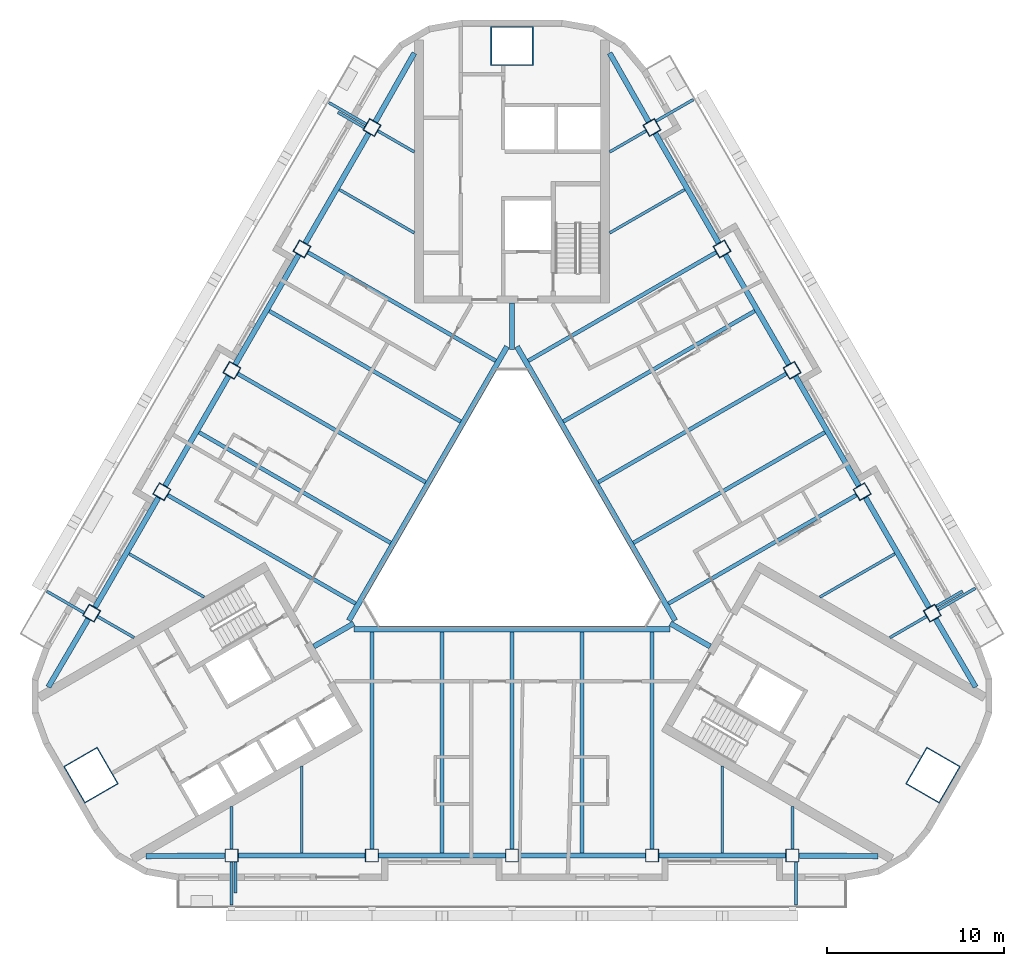
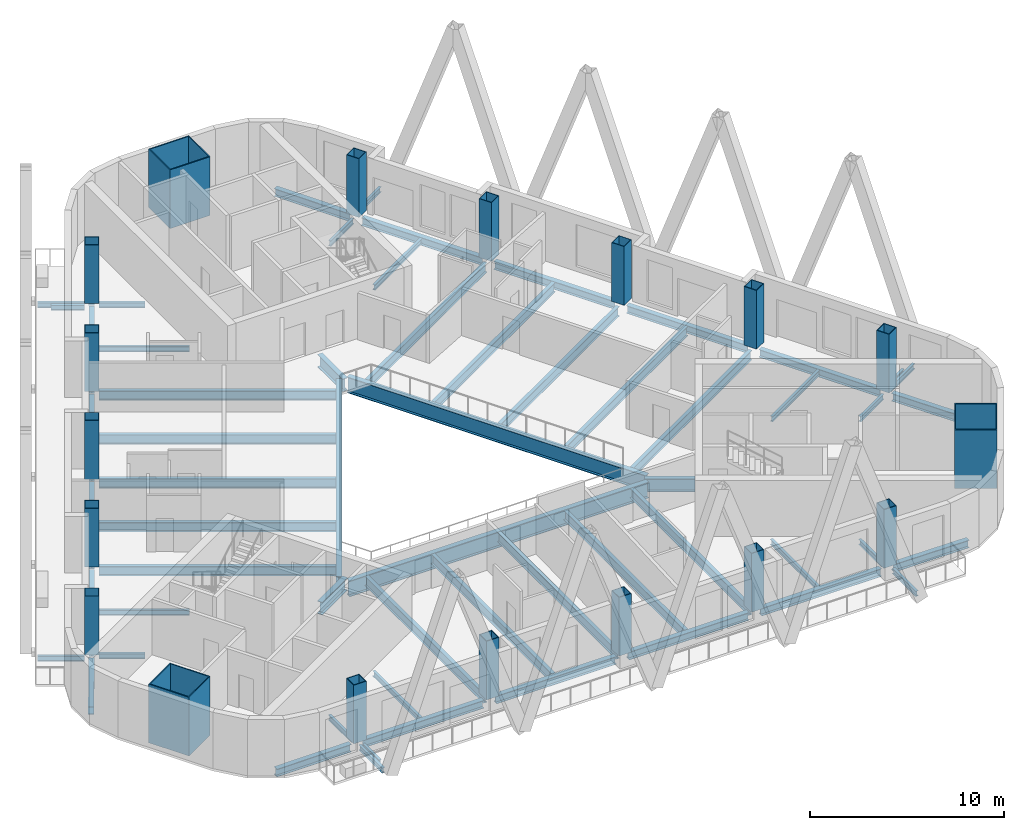
# One storey, part 1 of 14: 60 beams, 18 columns.
"""IFC4 building model written with IfcOpenShell, lengths in metres."""

from ifc_helpers import new_model, si_unit, direction, frame, origin, origin_2d, place, context, subcontext, project, spatial, rectangle, hollow_rectangle, i_section, extrude, material, material_profile, profile_set, type_object, element, save


model = new_model("IFC4")

# Units and contexts
model_context = context("Model", 3, precision=1e-05, world=origin(), true_north=direction((0.0, 1.0)))
body_context = subcontext(model_context, "Body", "Model", "MODEL_VIEW")
ifc_project = project(units=[si_unit("LENGTHUNIT", "METRE"), si_unit("AREAUNIT", "SQUARE_METRE"), si_unit("VOLUMEUNIT", "CUBIC_METRE"), si_unit("PLANEANGLEUNIT", "RADIAN"), si_unit("MASSUNIT", "GRAM", prefix="KILO")], contexts=[model_context])

# Site, building, storey
site_placement = place(None, origin())
site = spatial("IfcSite", under=ifc_project, at=site_placement, CompositionType="ELEMENT")
building_placement = place(site_placement, origin())
building = spatial("IfcBuilding", under=site, at=building_placement, Name="Apuvela Tower Hotel", CompositionType="ELEMENT")
storey_placement = place(building_placement, frame((0.0, 0.0, 213.199951171875)))
storey = spatial("IfcBuildingStorey", under=building, at=storey_placement, Name="L52", CompositionType="ELEMENT", Elevation=213.199951171875)

# Columns
ifc_material_1 = material(Name="Steel S460", Category="steel")
ifc_material_profile_1 = material_profile(ifc_material_1, hollow_rectangle(XDim=2.39990234375, YDim=2.199951171875, WallThickness=0.06005859375, at=origin_2d()), Name="BOX 2400x2200x60")
ifc_material_2 = material(Name="Concrete C80/95", Category="concrete")
ifc_material_profile_2 = material_profile(ifc_material_2, rectangle(XDim=2.280029296875, YDim=2.080078125, at=origin_2d()), Name="Concrete C80/95 infill")
ifc_profile_set_1 = profile_set([ifc_material_profile_1, ifc_material_profile_2], Name="Steel S460")
column_type_1 = type_object("IfcColumnType", Name="STR-MC mega column BOX 2400x2200x60", PredefinedType="COLUMN", material=ifc_profile_set_1)
for number, where, z_axis, x_axis, name in (
    (1, (0.0, 27.39990234375, 0.0), (0.0, 0.0, 1.0), (1.0, 0.0, 0.0), "Mega column MC3 N"),
    (2, (-23.72900390625, -13.699951171875, 0.0), (0.0, 0.0, 1.0), (-0.5, 0.866025403784, 0.0), "Mega column MC3 SW"),
    (3, (23.72900390625, -13.699951171875, 0.0), (0.0, 0.0, 1.0), (0.5, 0.866025403784, 0.0), "Mega column MC3 SE"),
):
    element("IfcColumn", number, at=place(storey_placement, frame(where, z_axis=z_axis, x_axis=x_axis)), inside=storey, type_object=column_type_1, Name=name, PredefinedType="COLUMN", context=body_context, shape_type="SweptSolid", body=[
        extrude(hollow_rectangle(XDim=2.39990234375, YDim=2.199951171875, WallThickness=0.06005859375, at=origin_2d()), origin(), (0.0, 0.0, 1.0), 3.699951171875),
    ])
ifc_material_profile_3 = material_profile(ifc_material_1, hollow_rectangle(XDim=0.75, YDim=0.75, WallThickness=0.034912109375, at=origin_2d()), Name="BOX 750x750x35")
ifc_material_profile_4 = material_profile(ifc_material_2, rectangle(XDim=0.679931640625, YDim=0.679931640625, at=origin_2d()), Name="Concrete C80/95 infill")
ifc_profile_set_2 = profile_set([ifc_material_profile_3, ifc_material_profile_4], Name="Steel S460")
column_type_2 = type_object("IfcColumnType", Name="STR-PC perimeter column BOX 750x750x35", PredefinedType="COLUMN", material=ifc_profile_set_2)
for number, where, z_axis, x_axis, name in (
    (4, (-15.800048828125, -18.22998046875, 0.0), (0.0, 0.0, 1.0), (-1.0, 0.0, 0.0), "Perimeter column C5 S1"),
    (5, (-7.89990234375, -18.22998046875, 0.0), (0.0, 0.0, 1.0), (-1.0, 0.0, 0.0), "Perimeter column C5 S2"),
    (6, (0.0, -18.22998046875, 0.0), (0.0, 0.0, 1.0), (-1.0, 0.0, 0.0), "Perimeter column C5 S3"),
    (7, (7.89990234375, -18.22998046875, 0.0), (0.0, 0.0, 1.0), (-1.0, 0.0, 0.0), "Perimeter column C5 S4"),
    (8, (15.800048828125, -18.22998046875, 0.0), (0.0, 0.0, 1.0), (-1.0, 0.0, 0.0), "Perimeter column C5 S5"),
    (9, (23.6875, -4.568115234375, 0.0), (0.0, 0.0, 1.0), (-0.5, 0.866025403784, 0.0), "Perimeter column C5 NE1"),
    (10, (19.737548828125, 2.2734375, 0.0), (0.0, 0.0, 1.0), (-0.5, 0.866025403784, 0.0), "Perimeter column C5 NE2"),
    (11, (15.78759765625, 9.114990234375, 0.0), (0.0, 0.0, 1.0), (-0.5, 0.866025403784, 0.0), "Perimeter column C5 NE3"),
    (12, (11.837646484375, 15.95654296875, 0.0), (0.0, 0.0, 1.0), (-0.5, 0.866025403784, 0.0), "Perimeter column C5 NE4"),
    (13, (7.8876953125, 22.798095703125, 0.0), (0.0, 0.0, 1.0), (-0.5, 0.866025403784, 0.0), "Perimeter column C5 NE5"),
    (14, (-7.8876953125, 22.798095703125, 0.0), (0.0, 0.0, 1.0), (0.5, 0.866025403784, 0.0), "Perimeter column C5 NW1"),
    (15, (-11.837646484375, 15.95654296875, 0.0), (0.0, 0.0, 1.0), (0.5, 0.866025403784, 0.0), "Perimeter column C5 NW2"),
    (16, (-15.78759765625, 9.114990234375, 0.0), (0.0, 0.0, 1.0), (0.5, 0.866025403784, 0.0), "Perimeter column C5 NW3"),
    (17, (-19.737548828125, 2.2734375, 0.0), (0.0, 0.0, 1.0), (0.5, 0.866025403784, 0.0), "Perimeter column C5 NW4"),
    (18, (-23.6875, -4.568115234375, 0.0), (0.0, 0.0, 1.0), (0.5, 0.866025403784, 0.0), "Perimeter column C5 NW5"),
):
    element("IfcColumn", number, at=place(storey_placement, frame(where, z_axis=z_axis, x_axis=x_axis)), inside=storey, type_object=column_type_2, Name=name, PredefinedType="COLUMN", context=body_context, shape_type="SweptSolid", body=[
        extrude(hollow_rectangle(XDim=0.75, YDim=0.75, WallThickness=0.034912109375, at=origin_2d()), origin(), (0.0, 0.0, 1.0), 3.699951171875),
    ])

# Beams
ifc_material_3 = material(Name="Steel S355", Category="steel")
ifc_material_profile_5 = material_profile(ifc_material_3, i_section(OverallWidth=0.159912109375, OverallDepth=0.330078125, WebThickness=0.007568359375, FlangeThickness=0.011474609375, at=origin_2d()), Name="IPE 330")
ifc_profile_set_3 = profile_set([ifc_material_profile_5], Name="Steel S355")
beam_type_1 = type_object("IfcBeamType", Name="ENV-BALCONY-BEAM-IPE330", PredefinedType="BEAM", material=ifc_profile_set_3)
beam_1_placement = place(storey_placement, frame((-15.800048828125, -18.60498046875, -0.31494140625), z_axis=(0.0, -1.0, 0.0), x_axis=(1.0, 0.0, 0.0)))
element("IfcBeam", 19, at=beam_1_placement, inside=storey, type_object=beam_type_1, Name="Balcony cantilever beam S1 L52", PredefinedType="BEAM", context=body_context, shape_type="SweptSolid", body=[
    extrude(i_section(OverallWidth=0.159912109375, OverallDepth=0.330078125, WebThickness=0.007568359375, FlangeThickness=0.011474609375, at=origin_2d()), origin(), (0.0, 0.0, 1.0), 2.425048828125),
])
beam_2_placement = place(storey_placement, frame((-15.580078125, -18.60498046875, -0.31494140625), z_axis=(0.0, -1.0, 0.0), x_axis=(1.0, 0.0, 0.0)))
element("IfcBeam", 20, at=beam_2_placement, inside=storey, type_object=beam_type_1, Name="Balcony cantilever beam S2 L52", PredefinedType="BEAM", context=body_context, shape_type="SweptSolid", body=[
    extrude(i_section(OverallWidth=0.159912109375, OverallDepth=0.330078125, WebThickness=0.007568359375, FlangeThickness=0.011474609375, at=origin_2d()), origin(), (0.0, 0.0, 1.0), 1.72509765625),
])
for number, where, z_axis, x_axis, name in (
    (21, (16.0, -18.60498046875, -0.31494140625), (0.0, -1.0, 0.0), (1.0, 0.0, 0.0), "Balcony cantilever beam S3 L52"),
    (22, (24.012451171875, -4.380615234375, -0.31494140625), (0.866041403502, 0.499972286653, 0.0), (-0.499972286653, 0.866041403502, 0.0), "Balcony cantilever beam NE1 L52"),
):
    element("IfcBeam", number, at=place(storey_placement, frame(where, z_axis=z_axis, x_axis=x_axis)), inside=storey, type_object=beam_type_1, Name=name, PredefinedType="BEAM", context=body_context, shape_type="SweptSolid", body=[
        extrude(i_section(OverallWidth=0.159912109375, OverallDepth=0.330078125, WebThickness=0.007568359375, FlangeThickness=0.011474609375, at=origin_2d()), origin(), (0.0, 0.0, 1.0), 2.425048828125),
    ])
beam_3_placement = place(storey_placement, frame((23.90234375, -4.190185546875, -0.31494140625), z_axis=(0.866013532718, 0.500020560727, 0.0), x_axis=(-0.500020560727, 0.866013532718, 0.0)))
element("IfcBeam", 23, at=beam_3_placement, inside=storey, type_object=beam_type_1, Name="Balcony cantilever beam NE2 L52", PredefinedType="BEAM", context=body_context, shape_type="SweptSolid", body=[
    extrude(i_section(OverallWidth=0.159912109375, OverallDepth=0.330078125, WebThickness=0.007568359375, FlangeThickness=0.011474609375, at=origin_2d()), origin(), (0.0, 0.0, 1.0), 1.72509765625),
])
for number, where, z_axis, x_axis, name in (
    (24, (8.1123046875, 23.158935546875, -0.31494140625), (0.866041403502, 0.499972286653, 0.0), (-0.499972286653, 0.866041403502, 0.0), "Balcony cantilever beam NE3 L52"),
    (25, (-8.21240234375, 22.985595703125, -0.31494140625), (-0.865997808697, 0.500047793048, 0.0), (-0.500047793048, -0.865997808697, 0.0), "Balcony cantilever beam NW1 L52"),
):
    element("IfcBeam", number, at=place(storey_placement, frame(where, z_axis=z_axis, x_axis=x_axis)), inside=storey, type_object=beam_type_1, Name=name, PredefinedType="BEAM", context=body_context, shape_type="SweptSolid", body=[
        extrude(i_section(OverallWidth=0.159912109375, OverallDepth=0.330078125, WebThickness=0.007568359375, FlangeThickness=0.011474609375, at=origin_2d()), origin(), (0.0, 0.0, 1.0), 2.425048828125),
    ])
beam_4_placement = place(storey_placement, frame((-8.322509765625, 22.795166015625, -0.31494140625), z_axis=(-0.866013532718, 0.500020560727, 0.0), x_axis=(-0.500020560727, -0.866013532718, 0.0)))
element("IfcBeam", 26, at=beam_4_placement, inside=storey, type_object=beam_type_1, Name="Balcony cantilever beam NW2 L52", PredefinedType="BEAM", context=body_context, shape_type="SweptSolid", body=[
    extrude(i_section(OverallWidth=0.159912109375, OverallDepth=0.330078125, WebThickness=0.007568359375, FlangeThickness=0.011474609375, at=origin_2d()), origin(), (0.0, 0.0, 1.0), 1.72509765625),
])
beam_5_placement = place(storey_placement, frame((-24.1123046875, -4.553955078125, -0.31494140625), z_axis=(-0.865997808697, 0.500047793048, 0.0), x_axis=(-0.500047793048, -0.865997808697, 0.0)))
element("IfcBeam", 27, at=beam_5_placement, inside=storey, type_object=beam_type_1, Name="Balcony cantilever beam NW3 L52", PredefinedType="BEAM", context=body_context, shape_type="SweptSolid", body=[
    extrude(i_section(OverallWidth=0.159912109375, OverallDepth=0.330078125, WebThickness=0.007568359375, FlangeThickness=0.011474609375, at=origin_2d()), origin(), (0.0, 0.0, 1.0), 2.425048828125),
])
ifc_material_profile_6 = material_profile(ifc_material_3, i_section(OverallWidth=0.159912109375, OverallDepth=0.330078125, WebThickness=0.007568359375, FlangeThickness=0.011474609375, at=origin_2d()), Name="IPE 330")
ifc_profile_set_4 = profile_set([ifc_material_profile_6], Name="Steel S355")
beam_type_2 = type_object("IfcBeamType", Name="STR-B floor beam IPE 330", PredefinedType="BEAM", material=ifc_profile_set_4)
beam_6_placement = place(storey_placement, frame((23.36279296875, -4.755615234375, -0.31494140625), z_axis=(-0.865982457891, -0.500074377092, 0.0), x_axis=(0.500074377092, -0.865982457891, 0.0)))
element("IfcBeam", 28, at=beam_6_placement, inside=storey, type_object=beam_type_2, Name="Floor beam B1 NE1", PredefinedType="BEAM", context=body_context, shape_type="SweptSolid", body=[
    extrude(i_section(OverallWidth=0.159912109375, OverallDepth=0.330078125, WebThickness=0.007568359375, FlangeThickness=0.011474609375, at=origin_2d()), origin(), (0.0, 0.0, 1.0), 2.382080078125),
])
for number, where, z_axis, x_axis, name in (
    (29, (21.582763671875, -1.222412109375, -0.31494140625), (-0.866015056278, -0.500017921979, 0.0), (0.500017921979, -0.866015056278, 0.0), "Floor beam B1 NE2"),
    (30, (9.732666015625, 19.302490234375, -0.31494140625), (-0.866015056278, -0.500017921979, 0.0), (0.500017921979, -0.866015056278, 0.0), "Floor beam B1 NE8"),
):
    element("IfcBeam", number, at=place(storey_placement, frame(where, z_axis=z_axis, x_axis=x_axis)), inside=storey, type_object=beam_type_2, Name=name, PredefinedType="BEAM", context=body_context, shape_type="SweptSolid", body=[
        extrude(i_section(OverallWidth=0.159912109375, OverallDepth=0.330078125, WebThickness=0.007568359375, FlangeThickness=0.011474609375, at=origin_2d()), origin(), (0.0, 0.0, 1.0), 4.887451171875),
    ])
for number, where, z_axis, x_axis, name in (
    (31, (7.56298828125, 22.610595703125, -0.31494140625), (-0.866052464367, -0.499953126767, 0.0), (0.499953126767, -0.866052464367, 0.0), "Floor beam B1 NE9"),
    (32, (-7.56298828125, 22.610595703125, -0.31494140625), (0.866052464367, -0.499953126767, 0.0), (0.499953126767, 0.866052464367, 0.0), "Floor beam B1 NW1"),
):
    element("IfcBeam", number, at=place(storey_placement, frame(where, z_axis=z_axis, x_axis=x_axis)), inside=storey, type_object=beam_type_2, Name=name, PredefinedType="BEAM", context=body_context, shape_type="SweptSolid", body=[
        extrude(i_section(OverallWidth=0.159912109375, OverallDepth=0.330078125, WebThickness=0.007568359375, FlangeThickness=0.011474609375, at=origin_2d()), origin(), (0.0, 0.0, 1.0), 2.382080078125),
    ])
for number, where, z_axis, x_axis, name in (
    (33, (-9.732666015625, 19.302490234375, -0.31494140625), (0.866015056278, -0.500017921979, 0.0), (0.500017921979, 0.866015056278, 0.0), "Floor beam B1 NW2"),
    (34, (-21.582763671875, -1.222412109375, -0.31494140625), (0.866015056278, -0.500017921979, 0.0), (0.500017921979, 0.866015056278, 0.0), "Floor beam B1 NW8"),
):
    element("IfcBeam", number, at=place(storey_placement, frame(where, z_axis=z_axis, x_axis=x_axis)), inside=storey, type_object=beam_type_2, Name=name, PredefinedType="BEAM", context=body_context, shape_type="SweptSolid", body=[
        extrude(i_section(OverallWidth=0.159912109375, OverallDepth=0.330078125, WebThickness=0.007568359375, FlangeThickness=0.011474609375, at=origin_2d()), origin(), (0.0, 0.0, 1.0), 4.887451171875),
    ])
for number, where, z_axis, x_axis, name in (
    (35, (-23.36279296875, -4.755615234375, -0.31494140625), (0.865982457891, -0.500074377092, 0.0), (0.500074377092, 0.865982457891, 0.0), "Floor beam B1 NW9"),
    (36, (-15.800048828125, -17.85498046875, -0.31494140625), (0.0, 1.0, 0.0), (-1.0, 0.0, 0.0), "Floor beam B1 S1"),
):
    element("IfcBeam", number, at=place(storey_placement, frame(where, z_axis=z_axis, x_axis=x_axis)), inside=storey, type_object=beam_type_2, Name=name, PredefinedType="BEAM", context=body_context, shape_type="SweptSolid", body=[
        extrude(i_section(OverallWidth=0.159912109375, OverallDepth=0.330078125, WebThickness=0.007568359375, FlangeThickness=0.011474609375, at=origin_2d()), origin(), (0.0, 0.0, 1.0), 2.382080078125),
    ])
for number, where, z_axis, x_axis, name in (
    (37, (-11.85009765625, -18.080078125, -0.31494140625), (0.0, 1.0, 0.0), (-1.0, 0.0, 0.0), "Floor beam B1 S2"),
    (38, (11.85009765625, -18.080078125, -0.31494140625), (0.0, 1.0, 0.0), (-1.0, 0.0, 0.0), "Floor beam B1 S8"),
):
    element("IfcBeam", number, at=place(storey_placement, frame(where, z_axis=z_axis, x_axis=x_axis)), inside=storey, type_object=beam_type_2, Name=name, PredefinedType="BEAM", context=body_context, shape_type="SweptSolid", body=[
        extrude(i_section(OverallWidth=0.159912109375, OverallDepth=0.330078125, WebThickness=0.007568359375, FlangeThickness=0.011474609375, at=origin_2d()), origin(), (0.0, 0.0, 1.0), 4.8876953125),
    ])
beam_7_placement = place(storey_placement, frame((15.800048828125, -17.85498046875, -0.31494140625), z_axis=(0.0, 1.0, 0.0), x_axis=(-1.0, 0.0, 0.0)))
element("IfcBeam", 39, at=beam_7_placement, inside=storey, type_object=beam_type_2, Name="Floor beam B1 S9", PredefinedType="BEAM", context=body_context, shape_type="SweptSolid", body=[
    extrude(i_section(OverallWidth=0.159912109375, OverallDepth=0.330078125, WebThickness=0.007568359375, FlangeThickness=0.011474609375, at=origin_2d()), origin(), (0.0, 0.0, 1.0), 2.382080078125),
])
ifc_material_profile_7 = material_profile(ifc_material_3, i_section(OverallWidth=0.219970703125, OverallDepth=0.60009765625, WebThickness=0.011962890625, FlangeThickness=0.01904296875, at=origin_2d()), Name="IPE 600")
ifc_profile_set_5 = profile_set([ifc_material_profile_7], Name="Steel S355")
beam_type_3 = type_object("IfcBeamType", Name="STR-B floor beam IPE 600", PredefinedType="BEAM", material=ifc_profile_set_5)
beam_8_placement = place(storey_placement, frame((19.412841796875, 2.0859375, -0.449951171875), z_axis=(-0.866025418325, -0.499999974815, 0.0), x_axis=(0.499999974815, -0.866025418325, 0.0)))
element("IfcBeam", 40, at=beam_8_placement, inside=storey, type_object=beam_type_3, Name="Floor beam B8 NE3", PredefinedType="BEAM", context=body_context, shape_type="SweptSolid", body=[
    extrude(i_section(OverallWidth=0.219970703125, OverallDepth=0.60009765625, WebThickness=0.011962890625, FlangeThickness=0.01904296875, at=origin_2d()), origin(), (0.0, 0.0, 1.0), 12.23486328125),
])
beam_9_placement = place(storey_placement, frame((17.6328125, 5.619140625, -0.449951171875), z_axis=(-0.866027987673, -0.499995524547, 0.0), x_axis=(0.499995524547, -0.866027987673, 0.0)))
element("IfcBeam", 41, at=beam_9_placement, inside=storey, type_object=beam_type_3, Name="Floor beam B8 NE4", PredefinedType="BEAM", context=body_context, shape_type="SweptSolid", body=[
    extrude(i_section(OverallWidth=0.219970703125, OverallDepth=0.60009765625, WebThickness=0.011962890625, FlangeThickness=0.01904296875, at=origin_2d()), origin(), (0.0, 0.0, 1.0), 12.4599609375),
])
beam_10_placement = place(storey_placement, frame((15.462890625, 8.927490234375, -0.449951171875), z_axis=(-0.866025418325, -0.499999974815, 0.0), x_axis=(0.499999974815, -0.866025418325, 0.0)))
element("IfcBeam", 42, at=beam_10_placement, inside=storey, type_object=beam_type_3, Name="Floor beam B8 NE5", PredefinedType="BEAM", context=body_context, shape_type="SweptSolid", body=[
    extrude(i_section(OverallWidth=0.219970703125, OverallDepth=0.60009765625, WebThickness=0.011962890625, FlangeThickness=0.01904296875, at=origin_2d()), origin(), (0.0, 0.0, 1.0), 12.23486328125),
])
beam_11_placement = place(storey_placement, frame((13.6826171875, 12.460693359375, -0.449951171875), z_axis=(-0.866023089177, -0.500004008996, 0.0), x_axis=(0.500004008996, -0.866023089177, 0.0)))
element("IfcBeam", 43, at=beam_11_placement, inside=storey, type_object=beam_type_3, Name="Floor beam B8 NE6", PredefinedType="BEAM", context=body_context, shape_type="SweptSolid", body=[
    extrude(i_section(OverallWidth=0.219970703125, OverallDepth=0.60009765625, WebThickness=0.011962890625, FlangeThickness=0.01904296875, at=origin_2d()), origin(), (0.0, 0.0, 1.0), 12.4599609375),
])
for number, where, z_axis, x_axis, name in (
    (44, (11.512939453125, 15.76904296875, -0.449951171875), (-0.866030406821, -0.499991334387, 0.0), (0.499991334387, -0.866030406821, 0.0), "Floor beam B8 NE7"),
    (45, (-11.512939453125, 15.76904296875, -0.449951171875), (0.866030406821, -0.499991334387, 0.0), (0.499991334387, 0.866030406821, 0.0), "Floor beam B8 NW3"),
):
    element("IfcBeam", number, at=place(storey_placement, frame(where, z_axis=z_axis, x_axis=x_axis)), inside=storey, type_object=beam_type_3, Name=name, PredefinedType="BEAM", context=body_context, shape_type="SweptSolid", body=[
        extrude(i_section(OverallWidth=0.219970703125, OverallDepth=0.60009765625, WebThickness=0.011962890625, FlangeThickness=0.01904296875, at=origin_2d()), origin(), (0.0, 0.0, 1.0), 12.235107421875),
    ])
beam_12_placement = place(storey_placement, frame((-13.6826171875, 12.460693359375, -0.449951171875), z_axis=(0.866023089177, -0.500004008996, 0.0), x_axis=(0.500004008996, 0.866023089177, 0.0)))
element("IfcBeam", 46, at=beam_12_placement, inside=storey, type_object=beam_type_3, Name="Floor beam B8 NW4", PredefinedType="BEAM", context=body_context, shape_type="SweptSolid", body=[
    extrude(i_section(OverallWidth=0.219970703125, OverallDepth=0.60009765625, WebThickness=0.011962890625, FlangeThickness=0.01904296875, at=origin_2d()), origin(), (0.0, 0.0, 1.0), 12.4599609375),
])
beam_13_placement = place(storey_placement, frame((-15.462890625, 8.927490234375, -0.449951171875), z_axis=(0.866025418325, -0.499999974815, 0.0), x_axis=(0.499999974815, 0.866025418325, 0.0)))
element("IfcBeam", 47, at=beam_13_placement, inside=storey, type_object=beam_type_3, Name="Floor beam B8 NW5", PredefinedType="BEAM", context=body_context, shape_type="SweptSolid", body=[
    extrude(i_section(OverallWidth=0.219970703125, OverallDepth=0.60009765625, WebThickness=0.011962890625, FlangeThickness=0.01904296875, at=origin_2d()), origin(), (0.0, 0.0, 1.0), 12.23486328125),
])
beam_14_placement = place(storey_placement, frame((-17.6328125, 5.619140625, -0.449951171875), z_axis=(0.866027987673, -0.499995524547, 0.0), x_axis=(0.499995524547, 0.866027987673, 0.0)))
element("IfcBeam", 48, at=beam_14_placement, inside=storey, type_object=beam_type_3, Name="Floor beam B8 NW6", PredefinedType="BEAM", context=body_context, shape_type="SweptSolid", body=[
    extrude(i_section(OverallWidth=0.219970703125, OverallDepth=0.60009765625, WebThickness=0.011962890625, FlangeThickness=0.01904296875, at=origin_2d()), origin(), (0.0, 0.0, 1.0), 12.4599609375),
])
for number, where, z_axis, x_axis, name in (
    (49, (-19.412841796875, 2.0859375, -0.449951171875), (0.866025418325, -0.499999974815, 0.0), (0.499999974815, 0.866025418325, 0.0), "Floor beam B8 NW7"),
    (50, (-7.89990234375, -17.85498046875, -0.449951171875), (0.0, 1.0, 0.0), (-1.0, 0.0, 0.0), "Floor beam B8 S3"),
):
    element("IfcBeam", number, at=place(storey_placement, frame(where, z_axis=z_axis, x_axis=x_axis)), inside=storey, type_object=beam_type_3, Name=name, PredefinedType="BEAM", context=body_context, shape_type="SweptSolid", body=[
        extrude(i_section(OverallWidth=0.219970703125, OverallDepth=0.60009765625, WebThickness=0.011962890625, FlangeThickness=0.01904296875, at=origin_2d()), origin(), (0.0, 0.0, 1.0), 12.23486328125),
    ])
beam_15_placement = place(storey_placement, frame((-3.949951171875, -18.080078125, -0.449951171875), z_axis=(0.0, 1.0, 0.0), x_axis=(-1.0, 0.0, 0.0)))
element("IfcBeam", 51, at=beam_15_placement, inside=storey, type_object=beam_type_3, Name="Floor beam B8 S4", PredefinedType="BEAM", context=body_context, shape_type="SweptSolid", body=[
    extrude(i_section(OverallWidth=0.219970703125, OverallDepth=0.60009765625, WebThickness=0.011962890625, FlangeThickness=0.01904296875, at=origin_2d()), origin(), (0.0, 0.0, 1.0), 12.4599609375),
])
beam_16_placement = place(storey_placement, frame((0.0, -17.85498046875, -0.449951171875), z_axis=(0.0, 1.0, 0.0), x_axis=(-1.0, 0.0, 0.0)))
element("IfcBeam", 52, at=beam_16_placement, inside=storey, type_object=beam_type_3, Name="Floor beam B8 S5", PredefinedType="BEAM", context=body_context, shape_type="SweptSolid", body=[
    extrude(i_section(OverallWidth=0.219970703125, OverallDepth=0.60009765625, WebThickness=0.011962890625, FlangeThickness=0.01904296875, at=origin_2d()), origin(), (0.0, 0.0, 1.0), 12.23486328125),
])
beam_17_placement = place(storey_placement, frame((3.949951171875, -18.080078125, -0.449951171875), z_axis=(0.0, 1.0, 0.0), x_axis=(-1.0, 0.0, 0.0)))
element("IfcBeam", 53, at=beam_17_placement, inside=storey, type_object=beam_type_3, Name="Floor beam B8 S6", PredefinedType="BEAM", context=body_context, shape_type="SweptSolid", body=[
    extrude(i_section(OverallWidth=0.219970703125, OverallDepth=0.60009765625, WebThickness=0.011962890625, FlangeThickness=0.01904296875, at=origin_2d()), origin(), (0.0, 0.0, 1.0), 12.4599609375),
])
beam_18_placement = place(storey_placement, frame((7.89990234375, -17.85498046875, -0.449951171875), z_axis=(0.0, 1.0, 0.0), x_axis=(-1.0, 0.0, 0.0)))
element("IfcBeam", 54, at=beam_18_placement, inside=storey, type_object=beam_type_3, Name="Floor beam B8 S7", PredefinedType="BEAM", context=body_context, shape_type="SweptSolid", body=[
    extrude(i_section(OverallWidth=0.219970703125, OverallDepth=0.60009765625, WebThickness=0.011962890625, FlangeThickness=0.01904296875, at=origin_2d()), origin(), (0.0, 0.0, 1.0), 12.23486328125),
])
ifc_material_profile_8 = material_profile(ifc_material_3, i_section(OverallWidth=0.300048828125, OverallDepth=1.0, WebThickness=0.01904296875, FlangeThickness=0.035888671875, at=origin_2d()), Name="HE 1000 B")
ifc_profile_set_6 = profile_set([ifc_material_profile_8], Name="Steel S355")
beam_type_4 = type_object("IfcBeamType", Name="STR-G atrium ring girder HE 1000 B", PredefinedType="BEAM", material=ifc_profile_set_6)
beam_19_placement = place(storey_placement, frame((-0.27978515625, 10.455078125, -0.64990234375), z_axis=(-0.500006541319, -0.866021627119, 0.0), x_axis=(0.866021627119, -0.500006541319, 0.0)))
element("IfcBeam", 55, at=beam_19_placement, inside=storey, type_object=beam_type_4, Name="Atrium ring girder G2 N-SW", PredefinedType="BEAM", context=body_context, shape_type="SweptSolid", body=[
    extrude(i_section(OverallWidth=0.300048828125, OverallDepth=1.0, WebThickness=0.01904296875, FlangeThickness=0.035888671875, at=origin_2d()), origin(), (0.0, 0.0, 1.0), 17.828857421875),
])
beam_20_placement = place(storey_placement, frame((-8.91455078125, -5.469970703125, -0.64990234375), z_axis=(1.0, 0.0, 0.0), x_axis=(0.0, 1.0, 0.0)))
element("IfcBeam", 56, at=beam_20_placement, inside=storey, type_object=beam_type_4, Name="Atrium ring girder G2 SW-SE", PredefinedType="BEAM", context=body_context, shape_type="SweptSolid", body=[
    extrude(i_section(OverallWidth=0.300048828125, OverallDepth=1.0, WebThickness=0.01904296875, FlangeThickness=0.035888671875, at=origin_2d()), origin(), (0.0, 0.0, 1.0), 17.8291015625),
])
beam_21_placement = place(storey_placement, frame((9.1943359375, -4.985107421875, -0.64990234375), z_axis=(-0.500006541319, 0.866021627119, 0.0), x_axis=(-0.866021627119, -0.500006541319, 0.0)))
element("IfcBeam", 57, at=beam_21_placement, inside=storey, type_object=beam_type_4, Name="Atrium ring girder G2 SE-N", PredefinedType="BEAM", context=body_context, shape_type="SweptSolid", body=[
    extrude(i_section(OverallWidth=0.300048828125, OverallDepth=1.0, WebThickness=0.01904296875, FlangeThickness=0.035888671875, at=origin_2d()), origin(), (0.0, 0.0, 1.0), 17.828857421875),
])
ifc_material_profile_9 = material_profile(ifc_material_3, i_section(OverallWidth=0.300048828125, OverallDepth=0.800048828125, WebThickness=0.017578125, FlangeThickness=0.032958984375, at=origin_2d()), Name="HE 800 B")
ifc_profile_set_7 = profile_set([ifc_material_profile_9], Name="Steel S355")
beam_type_5 = type_object("IfcBeamType", Name="STR-GT core tie beam HE 800 B", PredefinedType="BEAM", material=ifc_profile_set_7)
for number, where, z_axis, x_axis, name in (
    (58, (0.0, 12.89990234375, -0.550048828125), (0.0, -1.0, 0.0), (1.0, 0.0, 0.0), "Core tie beam GT1 N"),
    (59, (-11.171630859375, -6.449951171875, -0.550048828125), (0.865997922154, 0.500047596559, 0.0), (-0.500047596559, 0.865997922154, 0.0), "Core tie beam GT1 SW"),
    (60, (11.171630859375, -6.449951171875, -0.550048828125), (-0.865997922154, 0.500047596559, 0.0), (-0.500047596559, -0.865997922154, 0.0), "Core tie beam GT1 SE"),
):
    element("IfcBeam", number, at=place(storey_placement, frame(where, z_axis=z_axis, x_axis=x_axis)), inside=storey, type_object=beam_type_5, Name=name, PredefinedType="BEAM", context=body_context, shape_type="SweptSolid", body=[
        extrude(i_section(OverallWidth=0.300048828125, OverallDepth=0.800048828125, WebThickness=0.017578125, FlangeThickness=0.032958984375, at=origin_2d()), origin(), (0.0, 0.0, 1.0), 2.599853515625),
    ])
ifc_material_profile_10 = material_profile(ifc_material_3, i_section(OverallWidth=0.300048828125, OverallDepth=0.489990234375, WebThickness=0.011962890625, FlangeThickness=0.02294921875, at=origin_2d()), Name="HE 500 A")
ifc_profile_set_8 = profile_set([ifc_material_profile_10], Name="Steel S355")
beam_type_6 = type_object("IfcBeamType", Name="STR-SB spandrel beam HE 500 A", PredefinedType="SPANDREL", material=ifc_profile_set_8)
beam_22_placement = place(storey_placement, frame((-15.425048828125, -18.22998046875, -0.39501953125), z_axis=(1.0, 0.0, 0.0), x_axis=(0.0, 1.0, 0.0)))
element("IfcBeam", 61, at=beam_22_placement, inside=storey, type_object=beam_type_6, Name="Spandrel beam SB3 S1", PredefinedType="SPANDREL", context=body_context, shape_type="SweptSolid", body=[
    extrude(i_section(OverallWidth=0.300048828125, OverallDepth=0.489990234375, WebThickness=0.011962890625, FlangeThickness=0.02294921875, at=origin_2d()), origin(), (0.0, 0.0, 1.0), 7.150146484375),
])
for number, where, z_axis, x_axis, name in (
    (62, (-7.52490234375, -18.22998046875, -0.39501953125), (1.0, 0.0, 0.0), (0.0, 1.0, 0.0), "Spandrel beam SB3 S2"),
    (63, (0.375, -18.22998046875, -0.39501953125), (1.0, 0.0, 0.0), (0.0, 1.0, 0.0), "Spandrel beam SB3 S3"),
):
    element("IfcBeam", number, at=place(storey_placement, frame(where, z_axis=z_axis, x_axis=x_axis)), inside=storey, type_object=beam_type_6, Name=name, PredefinedType="SPANDREL", context=body_context, shape_type="SweptSolid", body=[
        extrude(i_section(OverallWidth=0.300048828125, OverallDepth=0.489990234375, WebThickness=0.011962890625, FlangeThickness=0.02294921875, at=origin_2d()), origin(), (0.0, 0.0, 1.0), 7.14990234375),
    ])
beam_23_placement = place(storey_placement, frame((8.27490234375, -18.22998046875, -0.39501953125), z_axis=(1.0, 0.0, 0.0), x_axis=(0.0, 1.0, 0.0)))
element("IfcBeam", 64, at=beam_23_placement, inside=storey, type_object=beam_type_6, Name="Spandrel beam SB3 S4", PredefinedType="SPANDREL", context=body_context, shape_type="SweptSolid", body=[
    extrude(i_section(OverallWidth=0.300048828125, OverallDepth=0.489990234375, WebThickness=0.011962890625, FlangeThickness=0.02294921875, at=origin_2d()), origin(), (0.0, 0.0, 1.0), 7.150146484375),
])
beam_24_placement = place(storey_placement, frame((23.5, -4.243408203125, -0.39501953125), z_axis=(-0.500006209673, 0.866021818598, 0.0), x_axis=(-0.866021818598, -0.500006209673, 0.0)))
element("IfcBeam", 65, at=beam_24_placement, inside=storey, type_object=beam_type_6, Name="Spandrel beam SB3 NE1", PredefinedType="SPANDREL", context=body_context, shape_type="SweptSolid", body=[
    extrude(i_section(OverallWidth=0.300048828125, OverallDepth=0.489990234375, WebThickness=0.011962890625, FlangeThickness=0.02294921875, at=origin_2d()), origin(), (0.0, 0.0, 1.0), 7.14990234375),
])
for number, where, z_axis, x_axis, name in (
    (66, (19.550048828125, 2.59814453125, -0.39501953125), (-0.499991424076, 0.86603035504, 0.0), (-0.86603035504, -0.499991424076, 0.0), "Spandrel beam SB3 NE2"),
    (67, (15.60009765625, 9.439697265625, -0.39501953125), (-0.499991424076, 0.86603035504, 0.0), (-0.86603035504, -0.499991424076, 0.0), "Spandrel beam SB3 NE3"),
):
    element("IfcBeam", number, at=place(storey_placement, frame(where, z_axis=z_axis, x_axis=x_axis)), inside=storey, type_object=beam_type_6, Name=name, PredefinedType="SPANDREL", context=body_context, shape_type="SweptSolid", body=[
        extrude(i_section(OverallWidth=0.300048828125, OverallDepth=0.489990234375, WebThickness=0.011962890625, FlangeThickness=0.02294921875, at=origin_2d()), origin(), (0.0, 0.0, 1.0), 7.150146484375),
    ])
for number, where, z_axis, x_axis, name in (
    (68, (11.650146484375, 16.281494140625, -0.39501953125), (-0.500006209673, 0.866021818598, 0.0), (-0.866021818598, -0.500006209673, 0.0), "Spandrel beam SB3 NE4"),
    (69, (-8.0751953125, 22.473388671875, -0.39501953125), (-0.500006209673, -0.866021818598, 0.0), (0.866021818598, -0.500006209673, 0.0), "Spandrel beam SB3 NW1"),
):
    element("IfcBeam", number, at=place(storey_placement, frame(where, z_axis=z_axis, x_axis=x_axis)), inside=storey, type_object=beam_type_6, Name=name, PredefinedType="SPANDREL", context=body_context, shape_type="SweptSolid", body=[
        extrude(i_section(OverallWidth=0.300048828125, OverallDepth=0.489990234375, WebThickness=0.011962890625, FlangeThickness=0.02294921875, at=origin_2d()), origin(), (0.0, 0.0, 1.0), 7.14990234375),
    ])
for number, where, z_axis, x_axis, name in (
    (70, (-12.025146484375, 15.6318359375, -0.39501953125), (-0.499991424076, -0.86603035504, 0.0), (0.86603035504, -0.499991424076, 0.0), "Spandrel beam SB3 NW2"),
    (71, (-15.97509765625, 8.790283203125, -0.39501953125), (-0.499991424076, -0.86603035504, 0.0), (0.86603035504, -0.499991424076, 0.0), "Spandrel beam SB3 NW3"),
):
    element("IfcBeam", number, at=place(storey_placement, frame(where, z_axis=z_axis, x_axis=x_axis)), inside=storey, type_object=beam_type_6, Name=name, PredefinedType="SPANDREL", context=body_context, shape_type="SweptSolid", body=[
        extrude(i_section(OverallWidth=0.300048828125, OverallDepth=0.489990234375, WebThickness=0.011962890625, FlangeThickness=0.02294921875, at=origin_2d()), origin(), (0.0, 0.0, 1.0), 7.150146484375),
    ])
beam_25_placement = place(storey_placement, frame((-19.925048828125, 1.948486328125, -0.39501953125), z_axis=(-0.500006209673, -0.866021818598, 0.0), x_axis=(0.866021818598, -0.500006209673, 0.0)))
element("IfcBeam", 72, at=beam_25_placement, inside=storey, type_object=beam_type_6, Name="Spandrel beam SB3 NW4", PredefinedType="SPANDREL", context=body_context, shape_type="SweptSolid", body=[
    extrude(i_section(OverallWidth=0.300048828125, OverallDepth=0.489990234375, WebThickness=0.011962890625, FlangeThickness=0.02294921875, at=origin_2d()), origin(), (0.0, 0.0, 1.0), 7.14990234375),
])
for number, where, z_axis, x_axis, name in (
    (73, (-16.175048828125, -18.232666015625, -0.39501953125), (-0.999976567383, -0.006845778571, 0.0), (0.006845778571, -0.999976567383, 0.0), "Spandrel beam SB3 S1-SW"),
    (74, (16.175048828125, -18.232666015625, -0.39501953125), (0.999976567383, -0.006845778571, 0.0), (0.006845778571, 0.999976567383, 0.0), "Spandrel beam SB3 S5-SE"),
    (75, (23.87744140625, -4.8916015625, -0.39501953125), (0.505933122104, -0.862572707636, 0.0), (0.862572707636, 0.505933122104, 0.0), "Spandrel beam SB3 NE1-SE"),
    (76, (7.702392578125, 23.124267578125, -0.39501953125), (-0.494055513212, 0.869430359411, 0.0), (-0.869430359411, -0.494055513212, 0.0), "Spandrel beam SB3 NE5-N"),
    (77, (-7.702392578125, 23.124267578125, -0.39501953125), (0.494055513212, 0.869430359411, 0.0), (-0.869430359411, 0.494055513212, 0.0), "Spandrel beam SB3 NW1-N"),
    (78, (-23.87744140625, -4.8916015625, -0.39501953125), (-0.505933122104, -0.862572707636, 0.0), (0.862572707636, -0.505933122104, 0.0), "Spandrel beam SB3 NW5-SW"),
):
    element("IfcBeam", number, at=place(storey_placement, frame(where, z_axis=z_axis, x_axis=x_axis)), inside=storey, type_object=beam_type_6, Name=name, PredefinedType="SPANDREL", context=body_context, shape_type="SweptSolid", body=[
        extrude(i_section(OverallWidth=0.300048828125, OverallDepth=0.489990234375, WebThickness=0.011962890625, FlangeThickness=0.02294921875, at=origin_2d()), origin(), (0.0, 0.0, 1.0), 4.457763671875),
    ])

save(model, "model.ifc")
